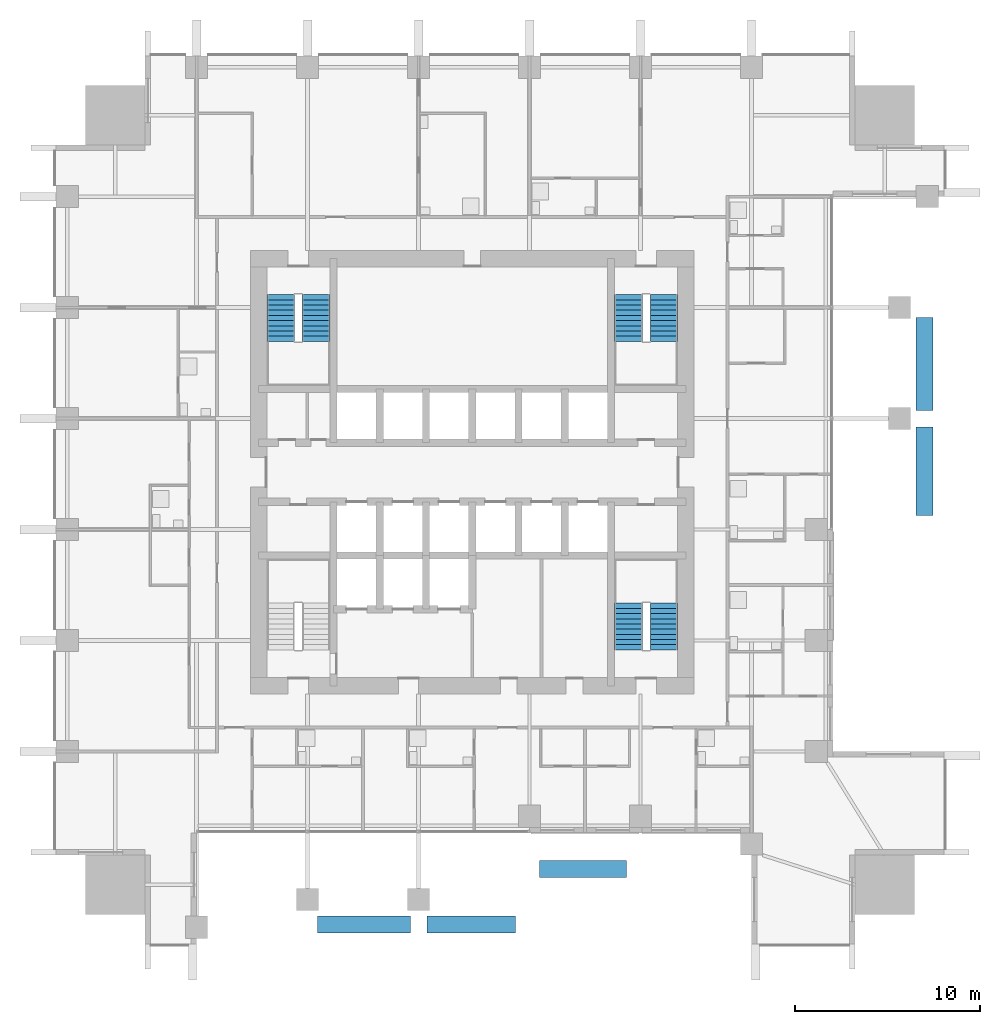
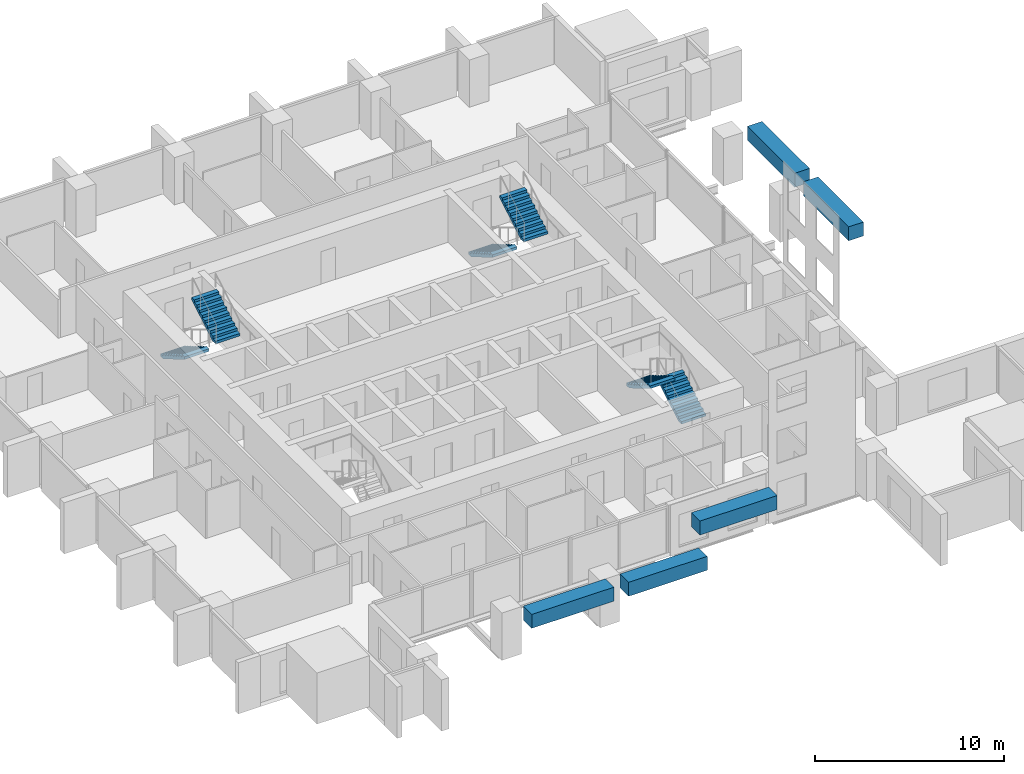
# One storey, part 11 of 13: 6 stair flights, 5 discrete accessories, 3 elements without a shape of their own.
"""IFC4 building model written with IfcOpenShell, lengths in metres."""

from ifc_helpers import new_model, si_unit, direction, frame, origin, origin_2d, place, context, subcontext, project, spatial, polyline, rectangle, outline, extrude, material, type_object, element, aggregate, save


model = new_model("IFC4")

# Units and contexts
model_context = context("Model", 3, precision=1e-05, world=origin(), true_north=direction((0.0, 1.0)))
body_context = subcontext(model_context, "Body", "Model", "MODEL_VIEW")
ifc_project = project(units=[si_unit("LENGTHUNIT", "METRE"), si_unit("AREAUNIT", "SQUARE_METRE"), si_unit("VOLUMEUNIT", "CUBIC_METRE"), si_unit("PLANEANGLEUNIT", "RADIAN"), si_unit("MASSUNIT", "GRAM", prefix="KILO")], contexts=[model_context])

# Site, building, storey
site_placement = place(None, origin())
site = spatial("IfcSite", under=ifc_project, at=site_placement, CompositionType="ELEMENT")
building_placement = place(site_placement, origin())
building = spatial("IfcBuilding", under=site, at=building_placement, Name="Amberfall Residences", CompositionType="ELEMENT")
storey_placement = place(building_placement, frame((0.0, 0.0, 56.5)))
storey = spatial("IfcBuildingStorey", under=building, at=storey_placement, Name="L15", CompositionType="ELEMENT", Elevation=56.5)

# Stair, stair flights
ifc_material = material(Name="Concrete C40", Category="concrete")
stair_type = type_object("IfcStairType", Name="Exit stair 20 risers 165.0 mm", PredefinedType="HALF_TURN_STAIR", material=ifc_material)
stair_1_placement = place(storey_placement, origin())
stair_1 = element("IfcStair", 1, at=stair_1_placement, inside=storey, type_object=stair_type, Name="L15 Exit stair 2", PredefinedType="HALF_TURN_STAIR")
stair_flight_type = type_object("IfcStairFlightType", Name="Stair flight 10 risers 165.0 mm", PredefinedType="STRAIGHT", material=ifc_material)
stair_flight_1_placement = place(storey_placement, frame((84.85009765625, 35.89990234375, 0.0), z_axis=(0.0, 0.0, 1.0), x_axis=(0.0, 1.0, 0.0)))
stair_flight_1 = element("IfcStairFlight", 2, at=stair_flight_1_placement, type_object=stair_flight_type, Name="ST3 flight 1", NumberOfRisers=10, NumberOfTreads=9, PredefinedType="STRAIGHT", RiserHeight=0.165, TreadLength=0.28, context=body_context, shape_type="SweptSolid", body=[
    extrude(outline(polyline([(0.0, 0.0), (0.0, 0.1650390625), (0.280029296875, 0.1650390625), (0.280029296875, 0.330078125), (0.56005859375, 0.330078125), (0.56005859375, 0.4951171875), (0.840087890625, 0.4951171875), (0.840087890625, 0.659912109375), (1.1201171875, 0.659912109375), (1.1201171875, 0.824951171875), (1.39990234375, 0.824951171875), (1.39990234375, 0.989990234375), (1.679931640625, 0.989990234375), (1.679931640625, 1.155029296875), (1.9599609375, 1.155029296875), (1.9599609375, 1.320068359375), (2.239990234375, 1.320068359375), (2.239990234375, 1.485107421875), (2.52001953125, 1.485107421875), (2.52001953125, 1.64990234375), (2.52001953125, 1.31103515625), (0.295166015625, 0.0), (0.0, 0.0)])), frame((0.0, 0.75, 0.0), z_axis=(0.0, -1.0, 0.0), x_axis=(1.0, 0.0, 0.0)), (0.0, 0.0, 1.0), 1.5),
])
stair_flight_2_placement = place(storey_placement, frame((82.949951171875, 38.419921875, 1.64990234375), z_axis=(0.0, 0.0, 1.0), x_axis=(0.0, -1.0, 0.0)))
stair_flight_2 = element("IfcStairFlight", 3, at=stair_flight_2_placement, type_object=stair_flight_type, Name="ST3 flight 2", NumberOfRisers=10, NumberOfTreads=9, PredefinedType="STRAIGHT", RiserHeight=0.165, TreadLength=0.28, context=body_context, shape_type="SweptSolid", body=[
    extrude(outline(polyline([(0.0, 0.0), (0.0, 0.1650390625), (0.280029296875, 0.1650390625), (0.280029296875, 0.330078125), (0.56005859375, 0.330078125), (0.56005859375, 0.4951171875), (0.840087890625, 0.4951171875), (0.840087890625, 0.659912109375), (1.1201171875, 0.659912109375), (1.1201171875, 0.824951171875), (1.39990234375, 0.824951171875), (1.39990234375, 0.989990234375), (1.679931640625, 0.989990234375), (1.679931640625, 1.155029296875), (1.9599609375, 1.155029296875), (1.9599609375, 1.320068359375), (2.239990234375, 1.320068359375), (2.239990234375, 1.485107421875), (2.52001953125, 1.485107421875), (2.52001953125, 1.64990234375), (2.52001953125, 1.31103515625), (0.295166015625, 0.0), (0.0, 0.0)])), frame((0.0, 0.75, 0.0), z_axis=(0.0, -1.0, 0.0), x_axis=(1.0, 0.0, 0.0)), (0.0, 0.0, 1.0), 1.5),
])
aggregate(stair_1, [stair_flight_1, stair_flight_2])

stair_2_placement = place(storey_placement, origin())
stair_2 = element("IfcStair", 4, at=stair_2_placement, inside=storey, type_object=stair_type, Name="L15 Exit stair 3", PredefinedType="HALF_TURN_STAIR")
stair_flight_3_placement = place(storey_placement, frame((82.949951171875, 55.10009765625, 0.0), z_axis=(0.0, 0.0, 1.0), x_axis=(0.0, -1.0, 0.0)))
stair_flight_3 = element("IfcStairFlight", 5, at=stair_flight_3_placement, type_object=stair_flight_type, Name="ST3 flight 1", NumberOfRisers=10, NumberOfTreads=9, PredefinedType="STRAIGHT", RiserHeight=0.165, TreadLength=0.28, context=body_context, shape_type="SweptSolid", body=[
    extrude(outline(polyline([(0.0, 0.0), (0.0, 0.1650390625), (0.280029296875, 0.1650390625), (0.280029296875, 0.330078125), (0.56005859375, 0.330078125), (0.56005859375, 0.4951171875), (0.840087890625, 0.4951171875), (0.840087890625, 0.659912109375), (1.1201171875, 0.659912109375), (1.1201171875, 0.824951171875), (1.39990234375, 0.824951171875), (1.39990234375, 0.989990234375), (1.679931640625, 0.989990234375), (1.679931640625, 1.155029296875), (1.9599609375, 1.155029296875), (1.9599609375, 1.320068359375), (2.239990234375, 1.320068359375), (2.239990234375, 1.485107421875), (2.52001953125, 1.485107421875), (2.52001953125, 1.64990234375), (2.52001953125, 1.31103515625), (0.295166015625, 0.0), (0.0, 0.0)])), frame((0.0, 0.75, 0.0), z_axis=(0.0, -1.0, 0.0), x_axis=(1.0, 0.0, 0.0)), (0.0, 0.0, 1.0), 1.5),
])
stair_flight_4_placement = place(storey_placement, frame((84.85009765625, 52.580078125, 1.64990234375), z_axis=(0.0, 0.0, 1.0), x_axis=(0.0, 1.0, 0.0)))
stair_flight_4 = element("IfcStairFlight", 6, at=stair_flight_4_placement, type_object=stair_flight_type, Name="ST3 flight 2", NumberOfRisers=10, NumberOfTreads=9, PredefinedType="STRAIGHT", RiserHeight=0.165, TreadLength=0.28, context=body_context, shape_type="SweptSolid", body=[
    extrude(outline(polyline([(0.0, 0.0), (0.0, 0.1650390625), (0.280029296875, 0.1650390625), (0.280029296875, 0.330078125), (0.56005859375, 0.330078125), (0.56005859375, 0.4951171875), (0.840087890625, 0.4951171875), (0.840087890625, 0.659912109375), (1.1201171875, 0.659912109375), (1.1201171875, 0.824951171875), (1.39990234375, 0.824951171875), (1.39990234375, 0.989990234375), (1.679931640625, 0.989990234375), (1.679931640625, 1.155029296875), (1.9599609375, 1.155029296875), (1.9599609375, 1.320068359375), (2.239990234375, 1.320068359375), (2.239990234375, 1.485107421875), (2.52001953125, 1.485107421875), (2.52001953125, 1.64990234375), (2.52001953125, 1.31103515625), (0.295166015625, 0.0), (0.0, 0.0)])), frame((0.0, 0.75, 0.0), z_axis=(0.0, -1.0, 0.0), x_axis=(1.0, 0.0, 0.0)), (0.0, 0.0, 1.0), 1.5),
])
aggregate(stair_2, [stair_flight_3, stair_flight_4])

stair_3_placement = place(storey_placement, origin())
stair_3 = element("IfcStair", 7, at=stair_3_placement, inside=storey, type_object=stair_type, Name="L15 Exit stair 4", PredefinedType="HALF_TURN_STAIR")
stair_flight_5_placement = place(storey_placement, frame((64.14990234375, 55.10009765625, 0.0), z_axis=(0.0, 0.0, 1.0), x_axis=(0.0, -1.0, 0.0)))
stair_flight_5 = element("IfcStairFlight", 8, at=stair_flight_5_placement, type_object=stair_flight_type, Name="ST3 flight 1", NumberOfRisers=10, NumberOfTreads=9, PredefinedType="STRAIGHT", RiserHeight=0.165, TreadLength=0.28, context=body_context, shape_type="SweptSolid", body=[
    extrude(outline(polyline([(0.0, 0.0), (0.0, 0.1650390625), (0.280029296875, 0.1650390625), (0.280029296875, 0.330078125), (0.56005859375, 0.330078125), (0.56005859375, 0.4951171875), (0.840087890625, 0.4951171875), (0.840087890625, 0.659912109375), (1.1201171875, 0.659912109375), (1.1201171875, 0.824951171875), (1.39990234375, 0.824951171875), (1.39990234375, 0.989990234375), (1.679931640625, 0.989990234375), (1.679931640625, 1.155029296875), (1.9599609375, 1.155029296875), (1.9599609375, 1.320068359375), (2.239990234375, 1.320068359375), (2.239990234375, 1.485107421875), (2.52001953125, 1.485107421875), (2.52001953125, 1.64990234375), (2.52001953125, 1.31103515625), (0.295166015625, 0.0), (0.0, 0.0)])), frame((0.0, 0.75, 0.0), z_axis=(0.0, -1.0, 0.0), x_axis=(1.0, 0.0, 0.0)), (0.0, 0.0, 1.0), 1.5),
])
stair_flight_6_placement = place(storey_placement, frame((66.050048828125, 52.580078125, 1.64990234375), z_axis=(0.0, 0.0, 1.0), x_axis=(0.0, 1.0, 0.0)))
stair_flight_6 = element("IfcStairFlight", 9, at=stair_flight_6_placement, type_object=stair_flight_type, Name="ST3 flight 2", NumberOfRisers=10, NumberOfTreads=9, PredefinedType="STRAIGHT", RiserHeight=0.165, TreadLength=0.28, context=body_context, shape_type="SweptSolid", body=[
    extrude(outline(polyline([(0.0, 0.0), (0.0, 0.1650390625), (0.280029296875, 0.1650390625), (0.280029296875, 0.330078125), (0.56005859375, 0.330078125), (0.56005859375, 0.4951171875), (0.840087890625, 0.4951171875), (0.840087890625, 0.659912109375), (1.1201171875, 0.659912109375), (1.1201171875, 0.824951171875), (1.39990234375, 0.824951171875), (1.39990234375, 0.989990234375), (1.679931640625, 0.989990234375), (1.679931640625, 1.155029296875), (1.9599609375, 1.155029296875), (1.9599609375, 1.320068359375), (2.239990234375, 1.320068359375), (2.239990234375, 1.485107421875), (2.52001953125, 1.485107421875), (2.52001953125, 1.64990234375), (2.52001953125, 1.31103515625), (0.295166015625, 0.0), (0.0, 0.0)])), frame((0.0, 0.75, 0.0), z_axis=(0.0, -1.0, 0.0), x_axis=(1.0, 0.0, 0.0)), (0.0, 0.0, 1.0), 1.5),
])
aggregate(stair_3, [stair_flight_5, stair_flight_6])

# Discrete accessories
discrete_accessory_1_placement = place(storey_placement, frame((68.64501953125, 21.050048828125, 2.400146484375), z_axis=(0.0, 0.0, 1.0), x_axis=(1.0, 0.0, 0.0)))
element("IfcDiscreteAccessory", 10, at=discrete_accessory_1_placement, inside=storey, Name="Planter box L16 S3", ObjectType="PLANTER BOX", PredefinedType="USERDEFINED", context=body_context, shape_type="SweptSolid", body=[
    extrude(rectangle(XDim=5.010009765625, YDim=0.89990234375, at=origin_2d()), origin(), (0.0, 0.0, 1.0), 0.89990234375),
])
for number, where, z_axis, x_axis, name in (
    (11, (74.449951171875, 21.050048828125, 2.400146484375), (0.0, 0.0, 1.0), (1.0, 0.0, 0.0), "Planter box L16 S4"),
    (12, (98.949951171875, 45.550048828125, 2.400146484375), (0.0, 0.0, 1.0), (0.0, 1.0, 0.0), "Planter box L16 E6"),
):
    element("IfcDiscreteAccessory", number, at=place(storey_placement, frame(where, z_axis=z_axis, x_axis=x_axis)), inside=storey, Name=name, ObjectType="PLANTER BOX", PredefinedType="USERDEFINED", context=body_context, shape_type="SweptSolid", body=[
        extrude(rectangle(XDim=4.800048828125, YDim=0.89990234375, at=origin_2d()), origin(), (0.0, 0.0, 1.0), 0.89990234375),
    ])
discrete_accessory_2_placement = place(storey_placement, frame((98.949951171875, 51.35498046875, 2.400146484375), z_axis=(0.0, 0.0, 1.0), x_axis=(0.0, 1.0, 0.0)))
element("IfcDiscreteAccessory", 13, at=discrete_accessory_2_placement, inside=storey, Name="Planter box L16 E7", ObjectType="PLANTER BOX", PredefinedType="USERDEFINED", context=body_context, shape_type="SweptSolid", body=[
    extrude(rectangle(XDim=5.010009765625, YDim=0.89990234375, at=origin_2d()), origin(), (0.0, 0.0, 1.0), 0.89990234375),
])
discrete_accessory_3_placement = place(storey_placement, frame((80.4951171875, 24.050048828125, 2.400146484375), z_axis=(0.0, 0.0, 1.0), x_axis=(1.0, 0.0, 0.0)))
element("IfcDiscreteAccessory", 14, at=discrete_accessory_3_placement, inside=storey, Name="Planter box L16 S6", ObjectType="PLANTER BOX", PredefinedType="USERDEFINED", context=body_context, shape_type="SweptSolid", body=[
    extrude(rectangle(XDim=4.7099609375, YDim=0.89990234375, at=origin_2d()), origin(), (0.0, 0.0, 1.0), 0.89990234375),
])

save(model, "model.ifc")
